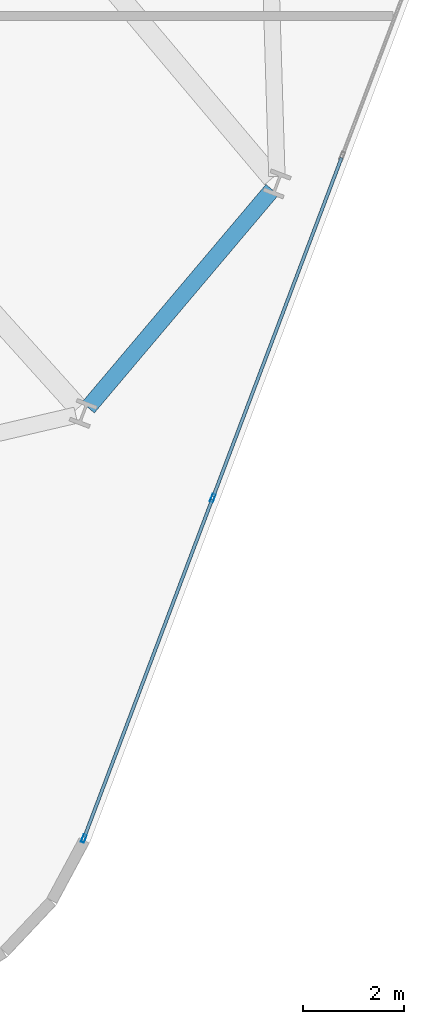
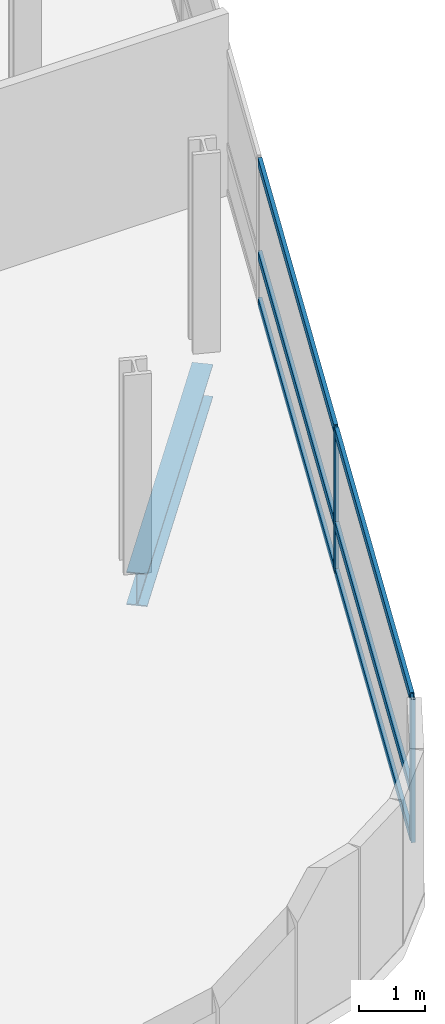
# One storey, part 10 of 25: 8 members, 1 beam, 1 element without a shape of its own.
"""IFC4 building model written with IfcOpenShell, lengths in metres."""

from ifc_helpers import new_model, si_unit, direction, frame, origin, origin_2d, place, context, subcontext, project, spatial, hollow_rectangle, i_section, extrude, material, layer, layer_set, material_profile, profile_set, type_object, element, aggregate, save


model = new_model("IFC4")

# Units and contexts
model_context = context("Model", 3, precision=1e-05, world=origin(), true_north=direction((0.0, 1.0)))
body_context = subcontext(model_context, "Body", "Model", "MODEL_VIEW")
ifc_project = project(units=[si_unit("LENGTHUNIT", "METRE"), si_unit("AREAUNIT", "SQUARE_METRE"), si_unit("VOLUMEUNIT", "CUBIC_METRE"), si_unit("PLANEANGLEUNIT", "RADIAN"), si_unit("MASSUNIT", "GRAM", prefix="KILO")], contexts=[model_context])

# Site, building, storey
site_placement = place(None, origin())
site = spatial("IfcSite", under=ifc_project, at=site_placement, CompositionType="ELEMENT")
building_placement = place(site_placement, origin())
building = spatial("IfcBuilding", under=site, at=building_placement, Name="Varnelok Gate Tower", CompositionType="ELEMENT")
storey_placement = place(building_placement, frame((0.0, 0.0, 113.199951171875)))
storey = spatial("IfcBuildingStorey", under=building, at=storey_placement, Name="L28", CompositionType="ELEMENT", Elevation=113.199951171875)

# Beam
ifc_material_1 = material(Name="Structural Steel ASTM A992 Grade 50", Category="steel")
ifc_material_profile_1 = material_profile(ifc_material_1, i_section(OverallWidth=0.323974609375, OverallDepth=0.611083984375, WebThickness=0.0126953125, FlangeThickness=0.01904296875, FilletRadius=0.01806640625, at=origin_2d()), Name="W24X104")
ifc_profile_set_1 = profile_set([ifc_material_profile_1], Name="Structural Steel ASTM A992 Grade 50")
beam_type = type_object("IfcBeamType", Name="BM-SPN-W24X104", PredefinedType="SPANDREL", material=ifc_profile_set_1)
beam_placement = place(storey_placement, frame((67.7333984375, 3.7421875, -0.555419921875), z_axis=(0.645380340265, 0.763861385592, 0.0), x_axis=(-0.763861385592, 0.645380340265, 0.0)))
element("IfcBeam", 1, at=beam_placement, inside=storey, type_object=beam_type, Name="L28 Perimeter Spandrel Beam 6", PredefinedType="SPANDREL", context=body_context, shape_type="SweptSolid", body=[
    extrude(i_section(OverallWidth=0.323974609375, OverallDepth=0.611083984375, WebThickness=0.0126953125, FlangeThickness=0.01904296875, FilletRadius=0.01806640625, at=origin_2d()), origin(), (0.0, 0.0, 1.0), 5.650146484375),
])

# Curtain wall, members
ifc_material_2 = material(Name="Anodized Aluminum Alloy 6063-T6", Category="aluminium")
ifc_layer = layer(ifc_material_2, 0.179931640625)
ifc_layer_set = layer_set([ifc_layer], Name="Anodized Aluminum Alloy 6063-T6")
curtain_wall_type = type_object("IfcCurtainWallType", Name="CW3-HOTEL-VISION", PredefinedType="USERDEFINED", material=ifc_layer_set)
curtain_wall_placement = place(storey_placement, origin())
curtain_wall = element("IfcCurtainWall", 2, at=curtain_wall_placement, inside=storey, type_object=curtain_wall_type, Name="L28 East End Vision Curtain Wall", ObjectType="UNITISED CURTAIN WALL", PredefinedType="USERDEFINED")
ifc_material_profile_2 = material_profile(ifc_material_2, hollow_rectangle(XDim=0.06494140625, YDim=0.159912109375, WallThickness=0.00390625, at=origin_2d()), Name="ALU160X65X4")
ifc_profile_set_2 = profile_set([ifc_material_profile_2], Name="Anodized Aluminum Alloy 6063-T6")
member_type_1 = type_object("IfcMemberType", Name="CW-MULL-160", PredefinedType="MULLION", material=ifc_profile_set_2)
member_1_placement = place(storey_placement, frame((70.201171875, 1.951171875, 0.0), z_axis=(0.0, 0.0, 1.0), x_axis=(0.935221323688, -0.354063660545, 0.0)))
member_1 = element("IfcMember", 3, at=member_1_placement, type_object=member_type_1, Name="CW3 mullion 5", PredefinedType="MULLION", context=body_context, shape_type="SweptSolid", body=[
    extrude(hollow_rectangle(XDim=0.06494140625, YDim=0.159912109375, WallThickness=0.00390625, at=origin_2d()), origin(), (0.0, 0.0, 1.0), 2.66015625),
])
member_2_placement = place(storey_placement, frame((67.6494140625, -4.78955078125, 0.0), z_axis=(0.0, 0.0, 1.0), x_axis=(0.935221323688, -0.354063660545, 0.0)))
member_2 = element("IfcMember", 4, at=member_2_placement, type_object=member_type_1, Name="CW3 mullion 6", PredefinedType="MULLION", context=body_context, shape_type="SweptSolid", body=[
    extrude(hollow_rectangle(XDim=0.06494140625, YDim=0.159912109375, WallThickness=0.00390625, at=origin_2d()), origin(), (0.0, 0.0, 1.0), 2.66015625),
])
ifc_material_profile_3 = material_profile(ifc_material_2, hollow_rectangle(XDim=0.06494140625, YDim=0.159912109375, WallThickness=0.00390625, at=origin_2d()), Name="ALU160X65X4")
ifc_profile_set_3 = profile_set([ifc_material_profile_3], Name="Anodized Aluminum Alloy 6063-T6")
member_type_2 = type_object("IfcMemberType", Name="CW-TRAN-160", PredefinedType="USERDEFINED", material=ifc_profile_set_3)
member_3_placement = place(storey_placement, frame((72.753173828125, 8.691650390625, 0.032470703125), z_axis=(-0.354078724634, -0.935215620465, 0.0), x_axis=(0.935215620465, -0.354078724634, 0.0)))
member_3 = element("IfcMember", 5, at=member_3_placement, type_object=member_type_2, Name="CW3 transom 4.1", ObjectType="TRANSOM", PredefinedType="USERDEFINED", context=body_context, shape_type="SweptSolid", body=[
    extrude(hollow_rectangle(XDim=0.06494140625, YDim=0.159912109375, WallThickness=0.00390625, at=origin_2d()), origin(), (0.0, 0.0, 1.0), 7.175048828125),
])
member_4_placement = place(storey_placement, frame((72.753173828125, 8.691650390625, 0.900146484375), z_axis=(-0.354078724634, -0.935215620465, 0.0), x_axis=(0.935215620465, -0.354078724634, 0.0)))
member_4 = element("IfcMember", 6, at=member_4_placement, type_object=member_type_2, Name="CW3 transom 4.2", ObjectType="TRANSOM", PredefinedType="USERDEFINED", context=body_context, shape_type="SweptSolid", body=[
    extrude(hollow_rectangle(XDim=0.06494140625, YDim=0.159912109375, WallThickness=0.00390625, at=origin_2d()), origin(), (0.0, 0.0, 1.0), 7.175048828125),
])
member_5_placement = place(storey_placement, frame((72.753173828125, 8.691650390625, 2.62744140625), z_axis=(-0.354078724634, -0.935215620465, 0.0), x_axis=(0.935215620465, -0.354078724634, 0.0)))
member_5 = element("IfcMember", 7, at=member_5_placement, type_object=member_type_2, Name="CW3 transom 4.3", ObjectType="TRANSOM", PredefinedType="USERDEFINED", context=body_context, shape_type="SweptSolid", body=[
    extrude(hollow_rectangle(XDim=0.06494140625, YDim=0.159912109375, WallThickness=0.00390625, at=origin_2d()), origin(), (0.0, 0.0, 1.0), 7.175048828125),
])
member_6_placement = place(storey_placement, frame((70.189697265625, 1.920654296875, 0.032470703125), z_axis=(-0.354058568643, -0.935223251406, 0.0), x_axis=(0.935223251406, -0.354058568643, 0.0)))
member_6 = element("IfcMember", 8, at=member_6_placement, type_object=member_type_2, Name="CW3 transom 5.1", ObjectType="TRANSOM", PredefinedType="USERDEFINED", context=body_context, shape_type="SweptSolid", body=[
    extrude(hollow_rectangle(XDim=0.06494140625, YDim=0.159912109375, WallThickness=0.00390625, at=origin_2d()), origin(), (0.0, 0.0, 1.0), 7.142333984375),
])
member_7_placement = place(storey_placement, frame((70.189697265625, 1.920654296875, 0.900146484375), z_axis=(-0.354058568643, -0.935223251406, 0.0), x_axis=(0.935223251406, -0.354058568643, 0.0)))
member_7 = element("IfcMember", 9, at=member_7_placement, type_object=member_type_2, Name="CW3 transom 5.2", ObjectType="TRANSOM", PredefinedType="USERDEFINED", context=body_context, shape_type="SweptSolid", body=[
    extrude(hollow_rectangle(XDim=0.06494140625, YDim=0.159912109375, WallThickness=0.00390625, at=origin_2d()), origin(), (0.0, 0.0, 1.0), 7.142333984375),
])
member_8_placement = place(storey_placement, frame((70.189697265625, 1.920654296875, 2.62744140625), z_axis=(-0.354058568643, -0.935223251406, 0.0), x_axis=(0.935223251406, -0.354058568643, 0.0)))
member_8 = element("IfcMember", 10, at=member_8_placement, type_object=member_type_2, Name="CW3 transom 5.3", ObjectType="TRANSOM", PredefinedType="USERDEFINED", context=body_context, shape_type="SweptSolid", body=[
    extrude(hollow_rectangle(XDim=0.06494140625, YDim=0.159912109375, WallThickness=0.00390625, at=origin_2d()), origin(), (0.0, 0.0, 1.0), 7.142333984375),
])
aggregate(curtain_wall, [member_1, member_2, member_3, member_4, member_5, member_6, member_7, member_8])

save(model, "model.ifc")
